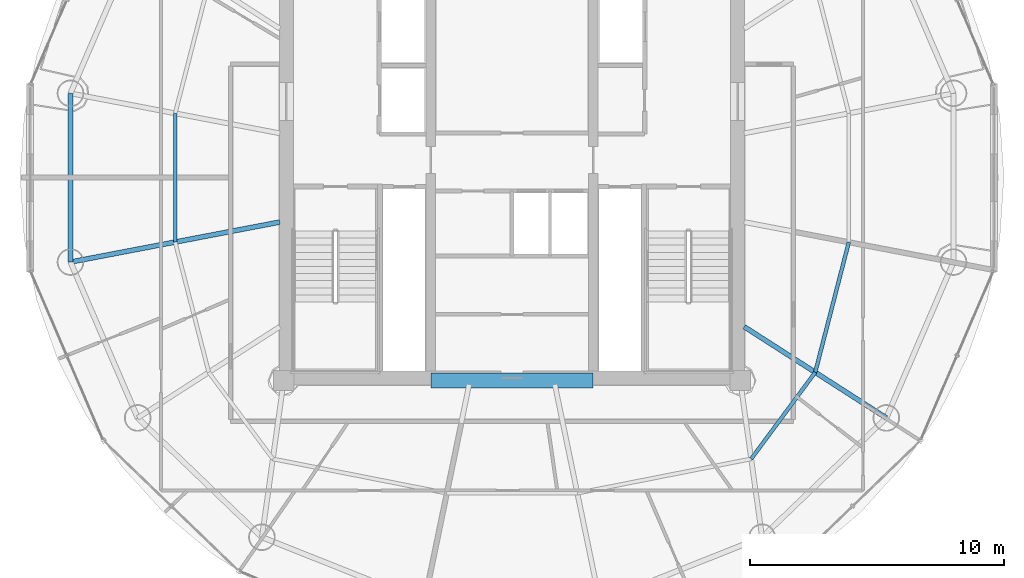
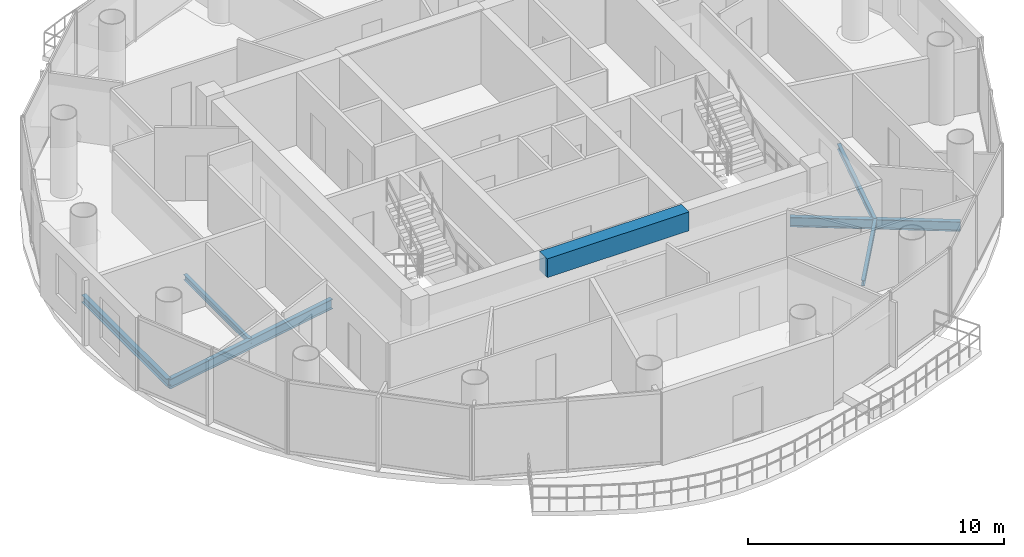
# One storey, part 7 of 23: 7 beams.
"""IFC4 building model written with IfcOpenShell, lengths in metres."""

from ifc_helpers import new_model, si_unit, direction, frame, origin, origin_2d, place, context, subcontext, project, spatial, rectangle, i_section, extrude, material, material_profile, profile_set, type_object, element, save


model = new_model("IFC4")

# Units and contexts
model_context = context("Model", 3, precision=1e-05, world=origin(), true_north=direction((-0.2419218956, 0.970295726276)))
body_context = subcontext(model_context, "Body", "Model", "MODEL_VIEW")
ifc_project = project(units=[si_unit("LENGTHUNIT", "METRE"), si_unit("AREAUNIT", "SQUARE_METRE"), si_unit("VOLUMEUNIT", "CUBIC_METRE"), si_unit("PLANEANGLEUNIT", "RADIAN"), si_unit("MASSUNIT", "GRAM", prefix="KILO")], contexts=[model_context])

# Site, building, storey
site_placement = place(None, origin())
site = spatial("IfcSite", under=ifc_project, at=site_placement, CompositionType="ELEMENT")
building_placement = place(site_placement, origin())
building = spatial("IfcBuilding", under=site, at=building_placement, Name="Cobrevalo Terracotta Tower", CompositionType="ELEMENT")
storey_placement = place(building_placement, frame((0.0, 0.0, 266.949951171875)))
storey = spatial("IfcBuildingStorey", under=building, at=storey_placement, Name="L70", CompositionType="ELEMENT", Elevation=266.949951171875)

# Beams
ifc_material_1 = material(Name="Concrete C60", Category="concrete")
ifc_material_profile_1 = material_profile(ifc_material_1, rectangle(XDim=0.60009765625, YDim=0.89990234375, at=origin_2d()), Name="RC CB 600x900")
ifc_profile_set_1 = profile_set([ifc_material_profile_1], Name="Concrete C60")
beam_type_1 = type_object("IfcBeamType", Name="Structural Beam RC CB 600x900 (Concrete C60)", PredefinedType="BEAM", material=ifc_profile_set_1)
beam_1_placement = place(storey_placement, frame((34.800048828125, 18.800048828125, 3.0400390625), z_axis=(1.0, 0.0, 0.0), x_axis=(0.0, 1.0, 0.0)))
element("IfcBeam", 1, at=beam_1_placement, inside=storey, type_object=beam_type_1, Name="L70 core coupling beam 1", PredefinedType="BEAM", context=body_context, shape_type="SweptSolid", body=[
    extrude(rectangle(XDim=0.60009765625, YDim=0.89990234375, at=origin_2d()), origin(), (0.0, 0.0, 1.0), 6.39990234375),
])
ifc_material_2 = material(Name="Steel S355", Category="steel")
ifc_material_profile_2 = material_profile(ifc_material_2, i_section(OverallWidth=0.19091796875, OverallDepth=0.4599609375, WebThickness=0.010009765625, FlangeThickness=0.01611328125, at=origin_2d()), Name="W 460x82")
ifc_profile_set_2 = profile_set([ifc_material_profile_2], Name="Steel S355")
beam_type_2 = type_object("IfcBeamType", Name="Structural Beam W 460x82 (Steel S355)", PredefinedType="BEAM", material=ifc_profile_set_2)
beam_2_placement = place(storey_placement, frame((20.591064453125, 23.4736328125, -0.489990234375), z_axis=(0.982229562106, 0.187683476432, 0.0), x_axis=(-0.187683476432, 0.982229562106, 0.0)))
element("IfcBeam", 2, at=beam_2_placement, inside=storey, type_object=beam_type_2, Name="L70 radial floor girder 09", PredefinedType="BEAM", context=body_context, shape_type="SweptSolid", body=[
    extrude(i_section(OverallWidth=0.19091796875, OverallDepth=0.4599609375, WebThickness=0.010009765625, FlangeThickness=0.01611328125, at=origin_2d()), origin(), (0.0, 0.0, 1.0), 8.4033203125),
])
beam_3_placement = place(storey_placement, frame((52.758544921875, 17.32763671875, -0.489990234375), z_axis=(-0.84157615512, 0.540138477739, 0.0), x_axis=(-0.540138477739, -0.84157615512, 0.0)))
element("IfcBeam", 3, at=beam_3_placement, inside=storey, type_object=beam_type_2, Name="L70 radial floor girder 15", PredefinedType="BEAM", context=body_context, shape_type="SweptSolid", body=[
    extrude(i_section(OverallWidth=0.19091796875, OverallDepth=0.4599609375, WebThickness=0.010009765625, FlangeThickness=0.01611328125, at=origin_2d()), origin(), (0.0, 0.0, 1.0), 6.658447265625),
])
ifc_material_profile_3 = material_profile(ifc_material_2, i_section(OverallWidth=0.14794921875, OverallDepth=0.26611328125, WebThickness=0.007568359375, FlangeThickness=0.012939453125, at=origin_2d()), Name="W 250x44.8")
ifc_profile_set_3 = profile_set([ifc_material_profile_3], Name="Steel S355")
beam_type_3 = type_object("IfcBeamType", Name="Structural Joist W 250x44.8 (Steel S355)", PredefinedType="JOIST", material=ifc_profile_set_3)
beam_4_placement = place(storey_placement, frame((24.718017578125, 29.337646484375, -0.39306640625), z_axis=(0.0, -1.0, 0.0), x_axis=(1.0, 0.0, 0.0)))
element("IfcBeam", 4, at=beam_4_placement, inside=storey, type_object=beam_type_3, Name="L70 circumferential secondary floor joist 08", PredefinedType="JOIST", context=body_context, shape_type="SweptSolid", body=[
    extrude(i_section(OverallWidth=0.14794921875, OverallDepth=0.26611328125, WebThickness=0.007568359375, FlangeThickness=0.012939453125, at=origin_2d()), origin(), (0.0, 0.0, 1.0), 5.075439453125),
])
beam_5_placement = place(storey_placement, frame((47.4306640625, 15.711669921875, -0.39306640625), z_axis=(0.594799916617, 0.803873783123, 0.0), x_axis=(-0.803873783123, 0.594799916617, 0.0)))
element("IfcBeam", 5, at=beam_5_placement, inside=storey, type_object=beam_type_3, Name="L70 circumferential secondary floor joist 14", PredefinedType="JOIST", context=body_context, shape_type="SweptSolid", body=[
    extrude(i_section(OverallWidth=0.14794921875, OverallDepth=0.26611328125, WebThickness=0.007568359375, FlangeThickness=0.012939453125, at=origin_2d()), origin(), (0.0, 0.0, 1.0), 4.2470703125),
])
beam_6_placement = place(storey_placement, frame((49.956787109375, 19.125732421875, -0.39306640625), z_axis=(0.249816773293, 0.968293126993, 0.0), x_axis=(-0.968293126993, 0.249816773293, 0.0)))
element("IfcBeam", 6, at=beam_6_placement, inside=storey, type_object=beam_type_3, Name="L70 circumferential secondary floor joist 15", PredefinedType="JOIST", context=body_context, shape_type="SweptSolid", body=[
    extrude(i_section(OverallWidth=0.14794921875, OverallDepth=0.26611328125, WebThickness=0.007568359375, FlangeThickness=0.012939453125, at=origin_2d()), origin(), (0.0, 0.0, 1.0), 5.3046875),
])
ifc_material_profile_4 = material_profile(ifc_material_2, i_section(OverallWidth=0.205078125, OverallDepth=0.35400390625, WebThickness=0.009521484375, FlangeThickness=0.016845703125, at=origin_2d()), Name="W 360x79")
ifc_profile_set_4 = profile_set([ifc_material_profile_4], Name="Steel S355")
beam_type_4 = type_object("IfcBeamType", Name="Structural Spandrel W 360x79 (Steel S355)", PredefinedType="SPANDREL", material=ifc_profile_set_4)
beam_7_placement = place(storey_placement, frame((20.591064453125, 30.126220703125, -0.43701171875), z_axis=(0.0, -1.0, 0.0), x_axis=(1.0, 0.0, 0.0)))
element("IfcBeam", 7, at=beam_7_placement, inside=storey, type_object=beam_type_4, Name="L70 perimeter ring spandrel 08", PredefinedType="SPANDREL", context=body_context, shape_type="SweptSolid", body=[
    extrude(i_section(OverallWidth=0.205078125, OverallDepth=0.35400390625, WebThickness=0.009521484375, FlangeThickness=0.016845703125, at=origin_2d()), origin(), (0.0, 0.0, 1.0), 6.652587890625),
])

save(model, "model.ifc")
